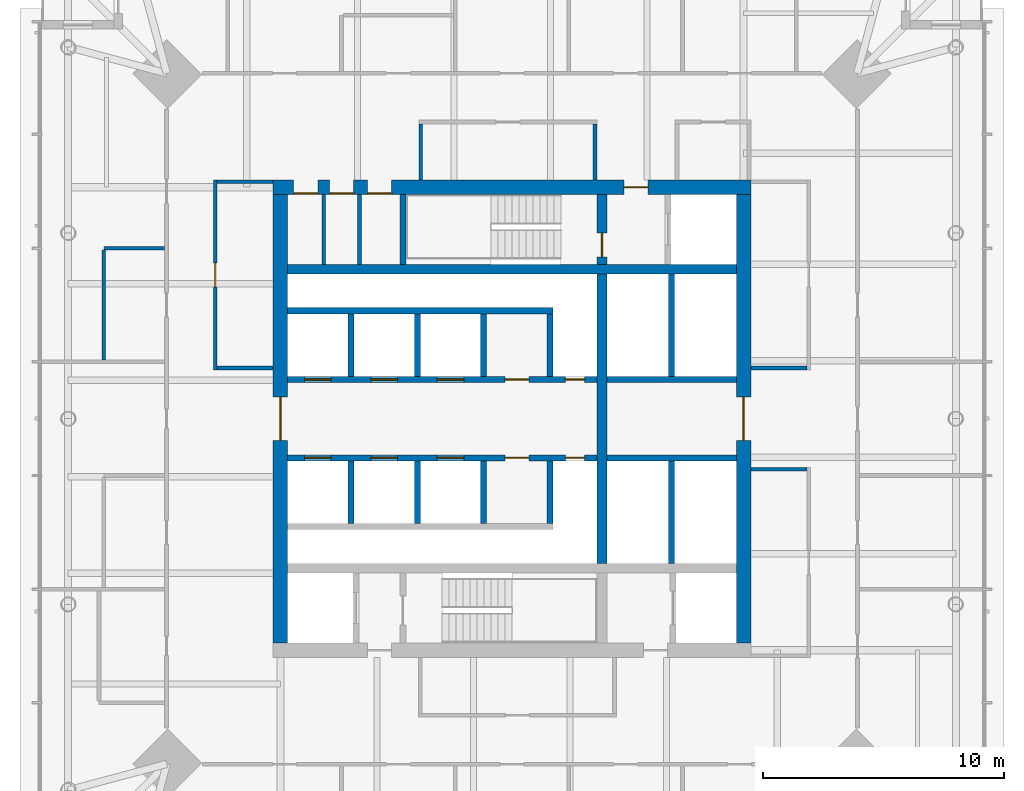
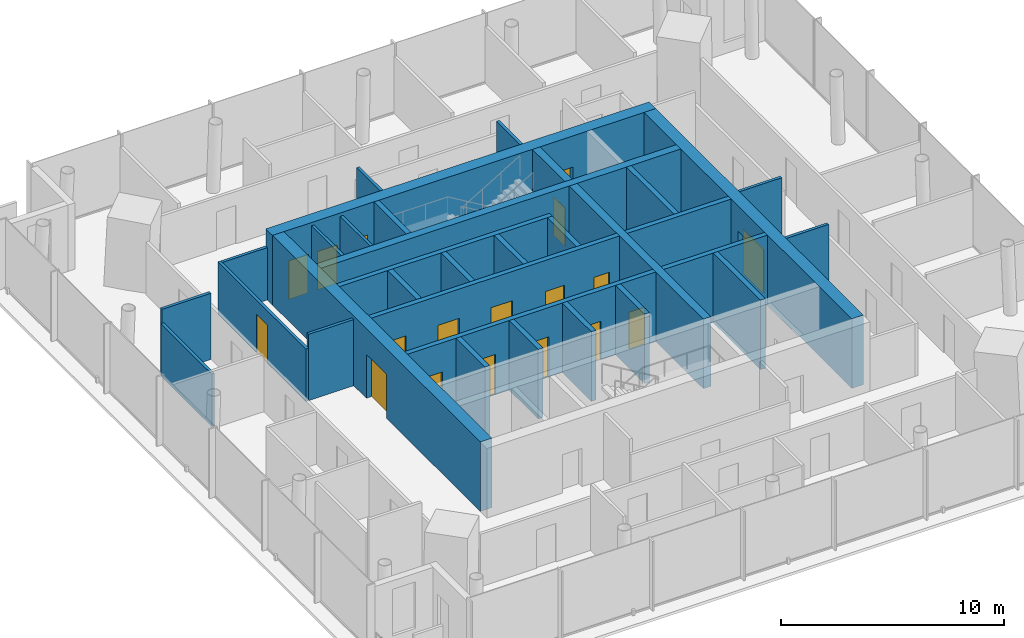
# One storey, part 5 of 11: 33 walls, 18 doors, 18 openings.
"""IFC4 building model written with IfcOpenShell, lengths in metres."""

from ifc_helpers import new_model, si_unit, direction, frame, frame_2d, origin, place, context, subcontext, project, spatial, rectangle, extrude, material, layer, layer_set, type_object, element, fill, save


model = new_model("IFC4")

# Units and contexts
model_context = context("Model", 3, precision=1e-05, world=origin(), true_north=direction((0.0, 1.0)))
body_context = subcontext(model_context, "Body", "Model", "MODEL_VIEW")
ifc_project = project(units=[si_unit("LENGTHUNIT", "METRE"), si_unit("AREAUNIT", "SQUARE_METRE"), si_unit("VOLUMEUNIT", "CUBIC_METRE"), si_unit("PLANEANGLEUNIT", "RADIAN"), si_unit("MASSUNIT", "GRAM", prefix="KILO")], contexts=[model_context])

# Site, building, storey
site_placement = place(None, origin())
site = spatial("IfcSite", under=ifc_project, at=site_placement, CompositionType="ELEMENT")
building_placement = place(site_placement, origin())
building = spatial("IfcBuilding", under=site, at=building_placement, Name="Ostroluk Exchange", CompositionType="ELEMENT")
storey_placement = place(building_placement, frame((0.0, 0.0, 195.800048828125)))
storey = spatial("IfcBuildingStorey", under=building, at=storey_placement, Name="L50", CompositionType="ELEMENT", Elevation=195.800048828125)

# Walls
ifc_material_1 = material(Name="Concrete blockwork", Category="masonry")
ifc_layer_1 = layer(ifc_material_1, 0.14990234375)
ifc_layer_set_1 = layer_set([ifc_layer_1], Name="Blockwork plant room wall 150")
wall_type_1 = type_object("IfcWallType", Name="Blockwork plant room wall 150", PredefinedType="SOLIDWALL", material=ifc_layer_set_1)
for number, where, z_axis, x_axis, name in (
    (1, (37.18798828125, 52.39990234375, 0.0), (0.0, 0.0, 1.0), (0.0, 1.0, 0.0), "Core room wall"),
    (2, (38.676025390625, 52.39990234375, 0.0), (0.0, 0.0, 1.0), (0.0, 1.0, 0.0), "Core room wall"),
):
    element("IfcWall", number, at=place(storey_placement, frame(where, z_axis=z_axis, x_axis=x_axis)), inside=storey, type_object=wall_type_1, Name=name, PredefinedType="SOLIDWALL", context=body_context, shape_type="SweptSolid", body=[
        extrude(rectangle(XDim=2.900146484375, YDim=0.14990234375, at=frame_2d((1.4501953125, 0.0))), origin(), (0.0, 0.0, 1.0), 3.619873046875),
    ])
ifc_material_2 = material(Name="Concrete C50/60", Category="concrete")
ifc_layer_2 = layer(ifc_material_2, 0.39990234375)
ifc_layer_set_2 = layer_set([ifc_layer_2], Name="Core cross wall 400 C50/60")
wall_type_2 = type_object("IfcWallType", Name="Core cross wall 400 C50/60", PredefinedType="SHEAR", material=ifc_layer_set_2)
wall_1_placement = place(storey_placement, frame((35.699951171875, 52.199951171875, 0.0), z_axis=(0.0, 0.0, 1.0), x_axis=(1.0, 0.0, 0.0)))
element("IfcWall", 3, at=wall_1_placement, inside=storey, type_object=wall_type_2, Name="T1 core wall XN", PredefinedType="SHEAR", context=body_context, shape_type="SweptSolid", body=[
    extrude(rectangle(XDim=18.60009765625, YDim=0.39990234375, at=frame_2d((9.300048828125, 0.0))), origin(), (0.0, 0.0, 1.0), 3.800048828125),
])
wall_2_placement = place(storey_placement, frame((48.72998046875, 40.0, 0.0), z_axis=(0.0, 0.0, 1.0), x_axis=(0.0, 1.0, 0.0)))
element("IfcWall", 4, at=wall_2_placement, inside=storey, type_object=wall_type_2, Name="T1 core wall YE2", PredefinedType="SHEAR", context=body_context, shape_type="SweptSolid", body=[
    extrude(rectangle(XDim=12.0, YDim=0.39990234375, at=frame_2d((6.0, 0.0))), origin(), (0.0, 0.0, 1.0), 3.800048828125),
])

# Wall, opening, door
wall_3_placement = place(storey_placement, frame((48.72998046875, 52.39990234375, 0.0), z_axis=(0.0, 0.0, 1.0), x_axis=(0.0, 1.0, 0.0)))
wall_3 = element("IfcWall", 5, at=wall_3_placement, inside=storey, type_object=wall_type_2, Name="T1 core wall YE3", PredefinedType="SHEAR", context=body_context, shape_type="SweptSolid", body=[
    extrude(rectangle(XDim=2.900146484375, YDim=0.39990234375, at=frame_2d((1.4501953125, 0.0))), origin(), (0.0, 0.0, 1.0), 3.800048828125),
])
opening_1_placement = place(wall_3_placement, frame((0.300048828125, 0.0, 0.0)))
opening_1 = element("IfcOpeningElement", 6, at=opening_1_placement, cuts=wall_3, Name="Opening FD60", PredefinedType="OPENING", context=body_context, shape_type="SweptSolid", body=[
    extrude(rectangle(XDim=1.0, YDim=2.10009765625, at=frame_2d((0.5, 1.050048828125))), frame((0.0, 0.2099609375, 0.0), z_axis=(0.0, -1.0, 0.0), x_axis=(1.0, 0.0, 0.0)), (0.0, 0.0, 1.0), 0.419921875),
])
ifc_material_3 = material(Name="Steel", Category="steel")
door_type_1 = type_object("IfcDoorType", Name="Fire door EI 60 1000 x 2100", OperationType="SINGLE_SWING_LEFT", PredefinedType="DOOR", material=ifc_material_3)
door_1_placement = place(opening_1_placement, origin())
door_1 = element("IfcDoor", 7, at=door_1_placement, inside=storey, type_object=door_type_1, Name="Stair T1-S2 door", OperationType="SINGLE_SWING_LEFT", OverallHeight=2.10009765625, OverallWidth=1.0, PredefinedType="DOOR", context=body_context, shape_type="SweptSolid", body=[
    extrude(rectangle(XDim=1.0, YDim=2.10009765625, at=frame_2d((0.5, 1.050048828125))), frame((0.0, 0.02490234375, 0.0), z_axis=(0.0, -1.0, 0.0), x_axis=(1.0, 0.0, 0.0)), (0.0, 0.0, 1.0), 0.050048828125),
])
fill(opening_1, door_1)

# Walls
ifc_material_4 = material(Name="Concrete C40/50", Category="concrete")
ifc_layer_3 = layer(ifc_material_4, 0.25)
ifc_layer_set_3 = layer_set([ifc_layer_3], Name="Core shaft wall 250")
wall_type_3 = type_object("IfcWallType", Name="Core shaft wall 250", PredefinedType="SHEAR", material=ifc_layer_set_3)
wall_4_placement = place(storey_placement, frame((40.47509765625, 52.39990234375, 0.0), z_axis=(0.0, 0.0, 1.0), x_axis=(0.0, 1.0, 0.0)))
element("IfcWall", 8, at=wall_4_placement, inside=storey, type_object=wall_type_3, Name="Stair shaft wall", PredefinedType="SHEAR", context=body_context, shape_type="SweptSolid", body=[
    extrude(rectangle(XDim=2.900146484375, YDim=0.25, at=frame_2d((1.4501953125, 0.0))), origin(), (0.0, 0.0, 1.0), 3.800048828125),
])
for number, where, z_axis, x_axis, name in (
    (9, (38.324951171875, 47.75, 0.0), (0.0, 0.0, 1.0), (0.0, 1.0, 0.0), "Lift shaft wall"),
    (10, (41.074951171875, 47.75, 0.0), (0.0, 0.0, 1.0), (0.0, 1.0, 0.0), "Lift shaft wall"),
    (11, (43.824951171875, 47.75, 0.0), (0.0, 0.0, 1.0), (0.0, 1.0, 0.0), "Lift shaft wall"),
    (12, (46.574951171875, 47.75, 0.0), (0.0, 0.0, 1.0), (0.0, 1.0, 0.0), "Lift shaft wall"),
):
    element("IfcWall", number, at=place(storey_placement, frame(where, z_axis=z_axis, x_axis=x_axis)), inside=storey, type_object=wall_type_3, Name=name, PredefinedType="SHEAR", context=body_context, shape_type="SweptSolid", body=[
        extrude(rectangle(XDim=2.60009765625, YDim=0.25, at=frame_2d((1.300048828125, 0.0))), origin(), (0.0, 0.0, 1.0), 3.800048828125),
    ])
wall_5_placement = place(storey_placement, frame((35.699951171875, 50.47509765625, 0.0), z_axis=(0.0, 0.0, 1.0), x_axis=(1.0, 0.0, 0.0)))
element("IfcWall", 13, at=wall_5_placement, inside=storey, type_object=wall_type_3, Name="Lift shaft wall", PredefinedType="SHEAR", context=body_context, shape_type="SweptSolid", body=[
    extrude(rectangle(XDim=11.0, YDim=0.25, at=frame_2d((5.5, 0.0))), origin(), (0.0, 0.0, 1.0), 3.800048828125),
])

# Wall, openings, doors
wall_6_placement = place(storey_placement, frame((35.699951171875, 47.625, 0.0), z_axis=(0.0, 0.0, 1.0), x_axis=(1.0, 0.0, 0.0)))
wall_6 = element("IfcWall", 14, at=wall_6_placement, inside=storey, type_object=wall_type_3, Name="Lift shaft front wall", PredefinedType="SHEAR", context=body_context, shape_type="SweptSolid", body=[
    extrude(rectangle(XDim=12.830078125, YDim=0.25, at=frame_2d((6.4150390625, 0.0))), origin(), (0.0, 0.0, 1.0), 3.800048828125),
])
opening_2_placement = place(wall_6_placement, frame((0.699951171875, 0.0, 0.0)))
opening_2 = element("IfcOpeningElement", 15, at=opening_2_placement, cuts=wall_6, Name="Opening LD", PredefinedType="OPENING", context=body_context, shape_type="SweptSolid", body=[
    extrude(rectangle(XDim=1.10009765625, YDim=2.199951171875, at=frame_2d((0.550048828125, 1.10009765625))), frame((0.0, 0.135009765625, 0.0), z_axis=(0.0, -1.0, 0.0), x_axis=(1.0, 0.0, 0.0)), (0.0, 0.0, 1.0), 0.27001953125),
])
opening_3_placement = place(wall_6_placement, frame((3.449951171875, 0.0, 0.0)))
opening_3 = element("IfcOpeningElement", 16, at=opening_3_placement, cuts=wall_6, Name="Opening LD", PredefinedType="OPENING", context=body_context, shape_type="SweptSolid", body=[
    extrude(rectangle(XDim=1.10009765625, YDim=2.199951171875, at=frame_2d((0.550048828125, 1.10009765625))), frame((0.0, 0.135009765625, 0.0), z_axis=(0.0, -1.0, 0.0), x_axis=(1.0, 0.0, 0.0)), (0.0, 0.0, 1.0), 0.27001953125),
])
opening_4_placement = place(wall_6_placement, frame((6.199951171875, 0.0, 0.0)))
opening_4 = element("IfcOpeningElement", 17, at=opening_4_placement, cuts=wall_6, Name="Opening LD", PredefinedType="OPENING", context=body_context, shape_type="SweptSolid", body=[
    extrude(rectangle(XDim=1.10009765625, YDim=2.199951171875, at=frame_2d((0.550048828125, 1.10009765625))), frame((0.0, 0.135009765625, 0.0), z_axis=(0.0, -1.0, 0.0), x_axis=(1.0, 0.0, 0.0)), (0.0, 0.0, 1.0), 0.27001953125),
])
opening_5_placement = place(wall_6_placement, frame((9.0, 0.0, 0.0)))
opening_5 = element("IfcOpeningElement", 18, at=opening_5_placement, cuts=wall_6, Name="Opening FD60", PredefinedType="OPENING", context=body_context, shape_type="SweptSolid", body=[
    extrude(rectangle(XDim=1.0, YDim=2.10009765625, at=frame_2d((0.5, 1.050048828125))), frame((0.0, 0.135009765625, 0.0), z_axis=(0.0, -1.0, 0.0), x_axis=(1.0, 0.0, 0.0)), (0.0, 0.0, 1.0), 0.27001953125),
])
opening_6_placement = place(wall_6_placement, frame((11.514892578125, 0.0, 0.0)))
opening_6 = element("IfcOpeningElement", 19, at=opening_6_placement, cuts=wall_6, Name="Opening RD60", PredefinedType="OPENING", context=body_context, shape_type="SweptSolid", body=[
    extrude(rectangle(XDim=0.800048828125, YDim=2.0, at=frame_2d((0.39990234375, 1.0))), frame((0.0, 0.135009765625, 0.0), z_axis=(0.0, -1.0, 0.0), x_axis=(1.0, 0.0, 0.0)), (0.0, 0.0, 1.0), 0.27001953125),
])
door_2_placement = place(opening_5_placement, origin())
door_2 = element("IfcDoor", 20, at=door_2_placement, inside=storey, type_object=door_type_1, Name="Core room door", OperationType="SINGLE_SWING_RIGHT", OverallHeight=2.10009765625, OverallWidth=1.0, PredefinedType="DOOR", context=body_context, shape_type="SweptSolid", body=[
    extrude(rectangle(XDim=1.0, YDim=2.10009765625, at=frame_2d((0.5, 1.050048828125))), frame((0.0, 0.02490234375, 0.0), z_axis=(0.0, -1.0, 0.0), x_axis=(1.0, 0.0, 0.0)), (0.0, 0.0, 1.0), 0.050048828125),
])
fill(opening_5, door_2)
ifc_material_5 = material(Name="Stainless steel", Category="steel")
door_type_2 = type_object("IfcDoorType", Name="Lift landing door E 60 1100 x 2200", OperationType="DOUBLE_DOOR_SLIDING", PredefinedType="DOOR", material=ifc_material_5)
door_3_placement = place(opening_2_placement, origin())
door_3 = element("IfcDoor", 21, at=door_3_placement, inside=storey, type_object=door_type_2, Name="Lift PL-H1 landing door", OperationType="DOUBLE_DOOR_SLIDING", OverallHeight=2.199951171875, OverallWidth=1.10009765625, PredefinedType="DOOR", context=body_context, shape_type="SweptSolid", body=[
    extrude(rectangle(XDim=1.10009765625, YDim=2.199951171875, at=frame_2d((0.550048828125, 1.10009765625))), frame((0.0, 0.02490234375, 0.0), z_axis=(0.0, -1.0, 0.0), x_axis=(1.0, 0.0, 0.0)), (0.0, 0.0, 1.0), 0.050048828125),
])
fill(opening_2, door_3)
door_4_placement = place(opening_3_placement, origin())
door_4 = element("IfcDoor", 22, at=door_4_placement, inside=storey, type_object=door_type_2, Name="Lift PL-H2 landing door", OperationType="DOUBLE_DOOR_SLIDING", OverallHeight=2.199951171875, OverallWidth=1.10009765625, PredefinedType="DOOR", context=body_context, shape_type="SweptSolid", body=[
    extrude(rectangle(XDim=1.10009765625, YDim=2.199951171875, at=frame_2d((0.550048828125, 1.10009765625))), frame((0.0, 0.02490234375, 0.0), z_axis=(0.0, -1.0, 0.0), x_axis=(1.0, 0.0, 0.0)), (0.0, 0.0, 1.0), 0.050048828125),
])
fill(opening_3, door_4)
door_5_placement = place(opening_4_placement, origin())
door_5 = element("IfcDoor", 23, at=door_5_placement, inside=storey, type_object=door_type_2, Name="Lift PL-H3 landing door", OperationType="DOUBLE_DOOR_SLIDING", OverallHeight=2.199951171875, OverallWidth=1.10009765625, PredefinedType="DOOR", context=body_context, shape_type="SweptSolid", body=[
    extrude(rectangle(XDim=1.10009765625, YDim=2.199951171875, at=frame_2d((0.550048828125, 1.10009765625))), frame((0.0, 0.02490234375, 0.0), z_axis=(0.0, -1.0, 0.0), x_axis=(1.0, 0.0, 0.0)), (0.0, 0.0, 1.0), 0.050048828125),
])
fill(opening_4, door_5)
ifc_material_6 = material(Name="Steel", Category="steel")
door_type_3 = type_object("IfcDoorType", Name="Riser access door EI 60 800 x 2000", OperationType="SINGLE_SWING_LEFT", PredefinedType="DOOR", material=ifc_material_6)
door_6_placement = place(opening_6_placement, origin())
door_6 = element("IfcDoor", 24, at=door_6_placement, inside=storey, type_object=door_type_3, Name="Riser access door", OperationType="SINGLE_SWING_RIGHT", OverallHeight=2.0, OverallWidth=0.800048828125, PredefinedType="DOOR", context=body_context, shape_type="SweptSolid", body=[
    extrude(rectangle(XDim=0.800048828125, YDim=2.0, at=frame_2d((0.39990234375, 1.0))), frame((0.0, 0.02490234375, 0.0), z_axis=(0.0, -1.0, 0.0), x_axis=(1.0, 0.0, 0.0)), (0.0, 0.0, 1.0), 0.050048828125),
])
fill(opening_6, door_6)

# Walls
for number, where, z_axis, x_axis, name in (
    (25, (38.324951171875, 44.25, 0.0), (0.0, 0.0, 1.0), (0.0, -1.0, 0.0), "Lift shaft wall"),
    (26, (41.074951171875, 44.25, 0.0), (0.0, 0.0, 1.0), (0.0, -1.0, 0.0), "Lift shaft wall"),
    (27, (43.824951171875, 44.25, 0.0), (0.0, 0.0, 1.0), (0.0, -1.0, 0.0), "Lift shaft wall"),
    (28, (46.574951171875, 44.25, 0.0), (0.0, 0.0, 1.0), (0.0, -1.0, 0.0), "Lift shaft wall"),
):
    element("IfcWall", number, at=place(storey_placement, frame(where, z_axis=z_axis, x_axis=x_axis)), inside=storey, type_object=wall_type_3, Name=name, PredefinedType="SHEAR", context=body_context, shape_type="SweptSolid", body=[
        extrude(rectangle(XDim=2.60009765625, YDim=0.25, at=frame_2d((1.300048828125, 0.0))), origin(), (0.0, 0.0, 1.0), 3.800048828125),
    ])

# Wall, openings, doors
wall_7_placement = place(storey_placement, frame((35.699951171875, 44.375, 0.0), z_axis=(0.0, 0.0, 1.0), x_axis=(1.0, 0.0, 0.0)))
wall_7 = element("IfcWall", 29, at=wall_7_placement, inside=storey, type_object=wall_type_3, Name="Lift shaft front wall", PredefinedType="SHEAR", context=body_context, shape_type="SweptSolid", body=[
    extrude(rectangle(XDim=12.830078125, YDim=0.25, at=frame_2d((6.4150390625, 0.0))), origin(), (0.0, 0.0, 1.0), 3.800048828125),
])
opening_7_placement = place(wall_7_placement, frame((0.699951171875, 0.0, 0.0)))
opening_7 = element("IfcOpeningElement", 30, at=opening_7_placement, cuts=wall_7, Name="Opening LD", PredefinedType="OPENING", context=body_context, shape_type="SweptSolid", body=[
    extrude(rectangle(XDim=1.10009765625, YDim=2.199951171875, at=frame_2d((0.550048828125, 1.10009765625))), frame((0.0, 0.135009765625, 0.0), z_axis=(0.0, -1.0, 0.0), x_axis=(1.0, 0.0, 0.0)), (0.0, 0.0, 1.0), 0.27001953125),
])
opening_8_placement = place(wall_7_placement, frame((3.449951171875, 0.0, 0.0)))
opening_8 = element("IfcOpeningElement", 31, at=opening_8_placement, cuts=wall_7, Name="Opening LD", PredefinedType="OPENING", context=body_context, shape_type="SweptSolid", body=[
    extrude(rectangle(XDim=1.10009765625, YDim=2.199951171875, at=frame_2d((0.550048828125, 1.10009765625))), frame((0.0, 0.135009765625, 0.0), z_axis=(0.0, -1.0, 0.0), x_axis=(1.0, 0.0, 0.0)), (0.0, 0.0, 1.0), 0.27001953125),
])
opening_9_placement = place(wall_7_placement, frame((6.199951171875, 0.0, 0.0)))
opening_9 = element("IfcOpeningElement", 32, at=opening_9_placement, cuts=wall_7, Name="Opening LD", PredefinedType="OPENING", context=body_context, shape_type="SweptSolid", body=[
    extrude(rectangle(XDim=1.10009765625, YDim=2.199951171875, at=frame_2d((0.550048828125, 1.10009765625))), frame((0.0, 0.135009765625, 0.0), z_axis=(0.0, -1.0, 0.0), x_axis=(1.0, 0.0, 0.0)), (0.0, 0.0, 1.0), 0.27001953125),
])
opening_10_placement = place(wall_7_placement, frame((9.0, 0.0, 0.0)))
opening_10 = element("IfcOpeningElement", 33, at=opening_10_placement, cuts=wall_7, Name="Opening FD60", PredefinedType="OPENING", context=body_context, shape_type="SweptSolid", body=[
    extrude(rectangle(XDim=1.0, YDim=2.10009765625, at=frame_2d((0.5, 1.050048828125))), frame((0.0, 0.135009765625, 0.0), z_axis=(0.0, -1.0, 0.0), x_axis=(1.0, 0.0, 0.0)), (0.0, 0.0, 1.0), 0.27001953125),
])
opening_11_placement = place(wall_7_placement, frame((11.514892578125, 0.0, 0.0)))
opening_11 = element("IfcOpeningElement", 34, at=opening_11_placement, cuts=wall_7, Name="Opening RD60", PredefinedType="OPENING", context=body_context, shape_type="SweptSolid", body=[
    extrude(rectangle(XDim=0.800048828125, YDim=2.0, at=frame_2d((0.39990234375, 1.0))), frame((0.0, 0.135009765625, 0.0), z_axis=(0.0, -1.0, 0.0), x_axis=(1.0, 0.0, 0.0)), (0.0, 0.0, 1.0), 0.27001953125),
])
door_7_placement = place(opening_10_placement, origin())
door_7 = element("IfcDoor", 35, at=door_7_placement, inside=storey, type_object=door_type_1, Name="Core room door", OperationType="SINGLE_SWING_RIGHT", OverallHeight=2.10009765625, OverallWidth=1.0, PredefinedType="DOOR", context=body_context, shape_type="SweptSolid", body=[
    extrude(rectangle(XDim=1.0, YDim=2.10009765625, at=frame_2d((0.5, 1.050048828125))), frame((0.0, 0.02490234375, 0.0), z_axis=(0.0, -1.0, 0.0), x_axis=(1.0, 0.0, 0.0)), (0.0, 0.0, 1.0), 0.050048828125),
])
fill(opening_10, door_7)
door_8_placement = place(opening_7_placement, origin())
door_8 = element("IfcDoor", 36, at=door_8_placement, inside=storey, type_object=door_type_2, Name="Lift PL-H4 landing door", OperationType="DOUBLE_DOOR_SLIDING", OverallHeight=2.199951171875, OverallWidth=1.10009765625, PredefinedType="DOOR", context=body_context, shape_type="SweptSolid", body=[
    extrude(rectangle(XDim=1.10009765625, YDim=2.199951171875, at=frame_2d((0.550048828125, 1.10009765625))), frame((0.0, 0.02490234375, 0.0), z_axis=(0.0, -1.0, 0.0), x_axis=(1.0, 0.0, 0.0)), (0.0, 0.0, 1.0), 0.050048828125),
])
fill(opening_7, door_8)
door_9_placement = place(opening_8_placement, origin())
door_9 = element("IfcDoor", 37, at=door_9_placement, inside=storey, type_object=door_type_2, Name="Lift PL-H5 landing door", OperationType="DOUBLE_DOOR_SLIDING", OverallHeight=2.199951171875, OverallWidth=1.10009765625, PredefinedType="DOOR", context=body_context, shape_type="SweptSolid", body=[
    extrude(rectangle(XDim=1.10009765625, YDim=2.199951171875, at=frame_2d((0.550048828125, 1.10009765625))), frame((0.0, 0.02490234375, 0.0), z_axis=(0.0, -1.0, 0.0), x_axis=(1.0, 0.0, 0.0)), (0.0, 0.0, 1.0), 0.050048828125),
])
fill(opening_8, door_9)
door_10_placement = place(opening_9_placement, origin())
door_10 = element("IfcDoor", 38, at=door_10_placement, inside=storey, type_object=door_type_2, Name="Lift PL-H6 landing door", OperationType="DOUBLE_DOOR_SLIDING", OverallHeight=2.199951171875, OverallWidth=1.10009765625, PredefinedType="DOOR", context=body_context, shape_type="SweptSolid", body=[
    extrude(rectangle(XDim=1.10009765625, YDim=2.199951171875, at=frame_2d((0.550048828125, 1.10009765625))), frame((0.0, 0.02490234375, 0.0), z_axis=(0.0, -1.0, 0.0), x_axis=(1.0, 0.0, 0.0)), (0.0, 0.0, 1.0), 0.050048828125),
])
fill(opening_9, door_10)
door_11_placement = place(opening_11_placement, origin())
door_11 = element("IfcDoor", 39, at=door_11_placement, inside=storey, type_object=door_type_3, Name="Riser access door", OperationType="SINGLE_SWING_RIGHT", OverallHeight=2.0, OverallWidth=0.800048828125, PredefinedType="DOOR", context=body_context, shape_type="SweptSolid", body=[
    extrude(rectangle(XDim=0.800048828125, YDim=2.0, at=frame_2d((0.39990234375, 1.0))), frame((0.0, 0.02490234375, 0.0), z_axis=(0.0, -1.0, 0.0), x_axis=(1.0, 0.0, 0.0)), (0.0, 0.0, 1.0), 0.050048828125),
])
fill(opening_11, door_11)

# Walls
wall_8_placement = place(storey_placement, frame((51.614990234375, 47.75, 0.0), z_axis=(0.0, 0.0, 1.0), x_axis=(0.0, 1.0, 0.0)))
element("IfcWall", 40, at=wall_8_placement, inside=storey, type_object=wall_type_3, Name="Lift shaft wall", PredefinedType="SHEAR", context=body_context, shape_type="SweptSolid", body=[
    extrude(rectangle(XDim=4.25, YDim=0.25, at=frame_2d((2.125, 0.0))), origin(), (0.0, 0.0, 1.0), 3.800048828125),
])
wall_9_placement = place(storey_placement, frame((48.929931640625, 47.625, 0.0), z_axis=(0.0, 0.0, 1.0), x_axis=(1.0, 0.0, 0.0)))
element("IfcWall", 41, at=wall_9_placement, inside=storey, type_object=wall_type_3, Name="Lift shaft front wall", PredefinedType="SHEAR", context=body_context, shape_type="SweptSolid", body=[
    extrude(rectangle(XDim=5.3701171875, YDim=0.25, at=frame_2d((2.68505859375, 0.0))), origin(), (0.0, 0.0, 1.0), 3.800048828125),
])
wall_10_placement = place(storey_placement, frame((51.614990234375, 44.25, 0.0), z_axis=(0.0, 0.0, 1.0), x_axis=(0.0, -1.0, 0.0)))
element("IfcWall", 42, at=wall_10_placement, inside=storey, type_object=wall_type_3, Name="Lift shaft wall", PredefinedType="SHEAR", context=body_context, shape_type="SweptSolid", body=[
    extrude(rectangle(XDim=4.25, YDim=0.25, at=frame_2d((2.125, 0.0))), origin(), (0.0, 0.0, 1.0), 3.800048828125),
])
wall_11_placement = place(storey_placement, frame((48.929931640625, 44.375, 0.0), z_axis=(0.0, 0.0, 1.0), x_axis=(1.0, 0.0, 0.0)))
element("IfcWall", 43, at=wall_11_placement, inside=storey, type_object=wall_type_3, Name="Lift shaft front wall", PredefinedType="SHEAR", context=body_context, shape_type="SweptSolid", body=[
    extrude(rectangle(XDim=5.3701171875, YDim=0.25, at=frame_2d((2.68505859375, 0.0))), origin(), (0.0, 0.0, 1.0), 3.800048828125),
])

# Wall, openings, doors
ifc_material_7 = material(Name="Concrete C50/60", Category="concrete")
ifc_layer_4 = layer(ifc_material_7, 0.60009765625)
ifc_layer_set_4 = layer_set([ifc_layer_4], Name="Core wall 600 C50/60")
wall_type_4 = type_object("IfcWallType", Name="Core wall 600 C50/60", PredefinedType="SHEAR", material=ifc_layer_set_4)
wall_12_placement = place(storey_placement, frame((35.10009765625, 55.60009765625, 0.0), z_axis=(0.0, 0.0, 1.0), x_axis=(1.0, 0.0, 0.0)))
wall_12 = element("IfcWall", 44, at=wall_12_placement, inside=storey, type_object=wall_type_4, Name="T1 core wall N", PredefinedType="SHEAR", context=body_context, shape_type="SweptSolid", body=[
    extrude(rectangle(XDim=19.7998046875, YDim=0.60009765625, at=frame_2d((9.89990234375, 0.0))), origin(), (0.0, 0.0, 1.0), 3.800048828125),
])
opening_12_placement = place(wall_12_placement, frame((14.5400390625, 0.0, 0.0)))
opening_12 = element("IfcOpeningElement", 45, at=opening_12_placement, cuts=wall_12, Name="Opening FD60", PredefinedType="OPENING", context=body_context, shape_type="SweptSolid", body=[
    extrude(rectangle(XDim=1.0, YDim=2.10009765625, at=frame_2d((0.5, 1.050048828125))), frame((0.0, 0.31005859375, 0.0), z_axis=(0.0, -1.0, 0.0), x_axis=(1.0, 0.0, 0.0)), (0.0, 0.0, 1.0), 0.6201171875),
])
opening_13_placement = place(wall_12_placement, frame((0.85009765625, 0.0, 0.0)))
opening_13 = element("IfcOpeningElement", 46, at=opening_13_placement, cuts=wall_12, Name="Opening FD60", PredefinedType="OPENING", context=body_context, shape_type="SweptSolid", body=[
    extrude(rectangle(XDim=1.0, YDim=2.10009765625, at=frame_2d((0.5, 1.050048828125))), frame((0.0, 0.31005859375, 0.0), z_axis=(0.0, -1.0, 0.0), x_axis=(1.0, 0.0, 0.0)), (0.0, 0.0, 1.0), 0.6201171875),
])
opening_14_placement = place(wall_12_placement, frame((2.337890625, 0.0, 0.0)))
opening_14 = element("IfcOpeningElement", 47, at=opening_14_placement, cuts=wall_12, Name="Opening FD60", PredefinedType="OPENING", context=body_context, shape_type="SweptSolid", body=[
    extrude(rectangle(XDim=1.0, YDim=2.10009765625, at=frame_2d((0.5, 1.050048828125))), frame((0.0, 0.31005859375, 0.0), z_axis=(0.0, -1.0, 0.0), x_axis=(1.0, 0.0, 0.0)), (0.0, 0.0, 1.0), 0.6201171875),
])
opening_15_placement = place(wall_12_placement, frame((3.9130859375, 0.0, 0.0)))
opening_15 = element("IfcOpeningElement", 48, at=opening_15_placement, cuts=wall_12, Name="Opening FD60", PredefinedType="OPENING", context=body_context, shape_type="SweptSolid", body=[
    extrude(rectangle(XDim=1.0, YDim=2.10009765625, at=frame_2d((0.5, 1.050048828125))), frame((0.0, 0.31005859375, 0.0), z_axis=(0.0, -1.0, 0.0), x_axis=(1.0, 0.0, 0.0)), (0.0, 0.0, 1.0), 0.6201171875),
])
door_12_placement = place(opening_12_placement, origin())
door_12 = element("IfcDoor", 49, at=door_12_placement, inside=storey, type_object=door_type_1, Name="Firefighting lobby door", OperationType="SINGLE_SWING_RIGHT", OverallHeight=2.10009765625, OverallWidth=1.0, PredefinedType="DOOR", context=body_context, shape_type="SweptSolid", body=[
    extrude(rectangle(XDim=1.0, YDim=2.10009765625, at=frame_2d((0.5, 1.050048828125))), frame((0.0, 0.02490234375, 0.0), z_axis=(0.0, -1.0, 0.0), x_axis=(1.0, 0.0, 0.0)), (0.0, 0.0, 1.0), 0.050048828125),
])
fill(opening_12, door_12)
door_13_placement = place(opening_13_placement, origin())
door_13 = element("IfcDoor", 50, at=door_13_placement, inside=storey, type_object=door_type_1, Name="Cleaner's store door", OperationType="SINGLE_SWING_LEFT", OverallHeight=2.10009765625, OverallWidth=1.0, PredefinedType="DOOR", context=body_context, shape_type="SweptSolid", body=[
    extrude(rectangle(XDim=1.0, YDim=2.10009765625, at=frame_2d((0.5, 1.050048828125))), frame((0.0, -0.23974609375, 0.0), z_axis=(0.0, -1.0, 0.0), x_axis=(1.0, 0.0, 0.0)), (0.0, 0.0, 1.0), 0.050048828125),
])
fill(opening_13, door_13)
door_14_placement = place(opening_14_placement, origin())
door_14 = element("IfcDoor", 51, at=door_14_placement, inside=storey, type_object=door_type_1, Name="Store door", OperationType="SINGLE_SWING_LEFT", OverallHeight=2.10009765625, OverallWidth=1.0, PredefinedType="DOOR", context=body_context, shape_type="SweptSolid", body=[
    extrude(rectangle(XDim=1.0, YDim=2.10009765625, at=frame_2d((0.5, 1.050048828125))), frame((0.0, -0.23974609375, 0.0), z_axis=(0.0, -1.0, 0.0), x_axis=(1.0, 0.0, 0.0)), (0.0, 0.0, 1.0), 0.050048828125),
])
fill(opening_14, door_14)
door_15_placement = place(opening_15_placement, origin())
door_15 = element("IfcDoor", 52, at=door_15_placement, inside=storey, type_object=door_type_1, Name="Comms room door", OperationType="SINGLE_SWING_LEFT", OverallHeight=2.10009765625, OverallWidth=1.0, PredefinedType="DOOR", context=body_context, shape_type="SweptSolid", body=[
    extrude(rectangle(XDim=1.0, YDim=2.10009765625, at=frame_2d((0.5, 1.050048828125))), frame((0.0, -0.23974609375, 0.0), z_axis=(0.0, -1.0, 0.0), x_axis=(1.0, 0.0, 0.0)), (0.0, 0.0, 1.0), 0.050048828125),
])
fill(opening_15, door_15)

# Wall, opening, door
wall_13_placement = place(storey_placement, frame((35.39990234375, 36.699951171875, 0.0), z_axis=(0.0, 0.0, 1.0), x_axis=(0.0, 1.0, 0.0)))
wall_13 = element("IfcWall", 53, at=wall_13_placement, inside=storey, type_object=wall_type_4, Name="T1 core wall W", PredefinedType="SHEAR", context=body_context, shape_type="SweptSolid", body=[
    extrude(rectangle(XDim=18.60009765625, YDim=0.60009765625, at=frame_2d((9.300048828125, 0.0))), origin(), (0.0, 0.0, 1.0), 3.800048828125),
])
opening_16_placement = place(wall_13_placement, frame((8.39990234375, 0.0, 0.0)))
opening_16 = element("IfcOpeningElement", 54, at=opening_16_placement, cuts=wall_13, Name="Opening FD30D", PredefinedType="OPENING", context=body_context, shape_type="SweptSolid", body=[
    extrude(rectangle(XDim=1.800048828125, YDim=2.39990234375, at=frame_2d((0.89990234375, 1.199951171875))), frame((0.0, 0.31005859375, 0.0), z_axis=(0.0, -1.0, 0.0), x_axis=(1.0, 0.0, 0.0)), (0.0, 0.0, 1.0), 0.6201171875),
])
ifc_material_8 = material(Name="Timber", Category="wood")
door_type_4 = type_object("IfcDoorType", Name="Lobby double door EI 30 1800 x 2400", OperationType="DOUBLE_DOOR_SINGLE_SWING", PredefinedType="DOOR", material=ifc_material_8)
door_16_placement = place(opening_16_placement, origin())
door_16 = element("IfcDoor", 55, at=door_16_placement, inside=storey, type_object=door_type_4, Name="Lift lobby doors", OperationType="DOUBLE_DOOR_SINGLE_SWING", OverallHeight=2.39990234375, OverallWidth=1.800048828125, PredefinedType="DOOR", context=body_context, shape_type="SweptSolid", body=[
    extrude(rectangle(XDim=1.800048828125, YDim=2.39990234375, at=frame_2d((0.89990234375, 1.199951171875))), frame((0.0, 0.02490234375, 0.0), z_axis=(0.0, -1.0, 0.0), x_axis=(1.0, 0.0, 0.0)), (0.0, 0.0, 1.0), 0.050048828125),
])
fill(opening_16, door_16)

wall_14_placement = place(storey_placement, frame((54.60009765625, 36.699951171875, 0.0), z_axis=(0.0, 0.0, 1.0), x_axis=(0.0, 1.0, 0.0)))
wall_14 = element("IfcWall", 56, at=wall_14_placement, inside=storey, type_object=wall_type_4, Name="T1 core wall E", PredefinedType="SHEAR", context=body_context, shape_type="SweptSolid", body=[
    extrude(rectangle(XDim=18.60009765625, YDim=0.60009765625, at=frame_2d((9.300048828125, 0.0))), origin(), (0.0, 0.0, 1.0), 3.800048828125),
])
opening_17_placement = place(wall_14_placement, frame((8.39990234375, 0.0, 0.0)))
opening_17 = element("IfcOpeningElement", 57, at=opening_17_placement, cuts=wall_14, Name="Opening FD30D", PredefinedType="OPENING", context=body_context, shape_type="SweptSolid", body=[
    extrude(rectangle(XDim=1.800048828125, YDim=2.39990234375, at=frame_2d((0.89990234375, 1.199951171875))), frame((0.0, 0.31005859375, 0.0), z_axis=(0.0, -1.0, 0.0), x_axis=(1.0, 0.0, 0.0)), (0.0, 0.0, 1.0), 0.6201171875),
])
door_17_placement = place(opening_17_placement, origin())
door_17 = element("IfcDoor", 58, at=door_17_placement, inside=storey, type_object=door_type_4, Name="Lift lobby doors", OperationType="DOUBLE_DOOR_SINGLE_SWING", OverallHeight=2.39990234375, OverallWidth=1.800048828125, PredefinedType="DOOR", context=body_context, shape_type="SweptSolid", body=[
    extrude(rectangle(XDim=1.800048828125, YDim=2.39990234375, at=frame_2d((0.89990234375, 1.199951171875))), frame((0.0, 0.02490234375, 0.0), z_axis=(0.0, -1.0, 0.0), x_axis=(1.0, 0.0, 0.0)), (0.0, 0.0, 1.0), 0.050048828125),
])
fill(opening_17, door_17)

# Walls
ifc_material_9 = material(Name="Gypsum plasterboard partition", Category="gypsum")
ifc_layer_5 = layer(ifc_material_9, 0.14990234375)
ifc_layer_set_5 = layer_set([ifc_layer_5], Name="Plasterboard partition 150")
wall_type_5 = type_object("IfcWallType", Name="Plasterboard partition 150", PredefinedType="PARTITIONING", material=ifc_layer_set_5)
for number, where, z_axis, x_axis, name in (
    (59, (54.89990234375, 43.89990234375, 0.0), (0.0, 0.0, 1.0), (1.0, 0.0, 0.0), "Partition"),
    (60, (54.89990234375, 48.10009765625, 0.0), (0.0, 0.0, 1.0), (1.0, 0.0, 0.0), "Partition"),
    (61, (48.43994140625, 55.89990234375, 0.0), (0.0, 0.0, 1.0), (0.0, 1.0, 0.0), "Partition"),
    (62, (41.212890625, 55.89990234375, 0.0), (0.0, 0.0, 1.0), (0.0, 1.0, 0.0), "Partition"),
):
    element("IfcWall", number, at=place(storey_placement, frame(where, z_axis=z_axis, x_axis=x_axis)), inside=storey, type_object=wall_type_5, Name=name, PredefinedType="PARTITIONING", context=body_context, shape_type="SweptSolid", body=[
        extrude(rectangle(XDim=2.3251953125, YDim=0.14990234375, at=frame_2d((1.16259765625, 0.0))), origin(), (0.0, 0.0, 1.0), 3.619873046875),
    ])

# Wall, opening, door
wall_15_placement = place(storey_placement, frame((32.699951171875, 55.89990234375, 0.0), z_axis=(0.0, 0.0, 1.0), x_axis=(0.0, -1.0, 0.0)))
wall_15 = element("IfcWall", 63, at=wall_15_placement, inside=storey, type_object=wall_type_5, Name="Partition", PredefinedType="PARTITIONING", context=body_context, shape_type="SweptSolid", body=[
    extrude(rectangle(XDim=7.875, YDim=0.14990234375, at=frame_2d((3.9375, 0.0))), origin(), (0.0, 0.0, 1.0), 2.866943359375),
])
opening_18_placement = place(wall_15_placement, frame((3.4375, 0.0, 0.0)))
opening_18 = element("IfcOpeningElement", 64, at=opening_18_placement, cuts=wall_15, Name="Opening D-03", PredefinedType="OPENING", context=body_context, shape_type="SweptSolid", body=[
    extrude(rectangle(XDim=1.0, YDim=2.10009765625, at=frame_2d((0.5, 1.050048828125))), frame((0.0, 0.0849609375, 0.0), z_axis=(0.0, -1.0, 0.0), x_axis=(1.0, 0.0, 0.0)), (0.0, 0.0, 1.0), 0.169921875),
])
ifc_material_10 = material(Name="Timber", Category="wood")
door_type_5 = type_object("IfcDoorType", Name="Internal door 1000 x 2100", OperationType="SINGLE_SWING_LEFT", PredefinedType="DOOR", material=ifc_material_10)
door_18_placement = place(opening_18_placement, origin())
door_18 = element("IfcDoor", 65, at=door_18_placement, inside=storey, type_object=door_type_5, Name="Quiet room door", OperationType="SINGLE_SWING_LEFT", OverallHeight=2.10009765625, OverallWidth=1.0, PredefinedType="DOOR", context=body_context, shape_type="SweptSolid", body=[
    extrude(rectangle(XDim=1.0, YDim=2.10009765625, at=frame_2d((0.5, 1.050048828125))), frame((0.0, 0.02490234375, 0.0), z_axis=(0.0, -1.0, 0.0), x_axis=(1.0, 0.0, 0.0)), (0.0, 0.0, 1.0), 0.050048828125),
])
fill(opening_18, door_18)

# Walls
wall_16_placement = place(storey_placement, frame((35.10009765625, 55.824951171875, 0.0), z_axis=(0.0, 0.0, 1.0), x_axis=(-1.0, 0.0, 0.0)))
element("IfcWall", 66, at=wall_16_placement, inside=storey, type_object=wall_type_5, Name="Partition", PredefinedType="PARTITIONING", context=body_context, shape_type="SweptSolid", body=[
    extrude(rectangle(XDim=2.3251953125, YDim=0.14990234375, at=frame_2d((1.16259765625, 0.0))), origin(), (0.0, 0.0, 1.0), 2.866943359375),
])
wall_17_placement = place(storey_placement, frame((35.10009765625, 48.10009765625, 0.0), z_axis=(0.0, 0.0, 1.0), x_axis=(-1.0, 0.0, 0.0)))
element("IfcWall", 67, at=wall_17_placement, inside=storey, type_object=wall_type_5, Name="Partition", PredefinedType="PARTITIONING", context=body_context, shape_type="SweptSolid", body=[
    extrude(rectangle(XDim=2.3251953125, YDim=0.14990234375, at=frame_2d((1.16259765625, 0.0))), origin(), (0.0, 0.0, 1.0), 3.619873046875),
])
wall_18_placement = place(storey_placement, frame((28.074951171875, 52.996337890625, 0.0), z_axis=(0.0, 0.0, 1.0), x_axis=(0.0, -1.0, 0.0)))
element("IfcWall", 68, at=wall_18_placement, inside=storey, type_object=wall_type_5, Name="Partition", PredefinedType="PARTITIONING", context=body_context, shape_type="SweptSolid", body=[
    extrude(rectangle(XDim=4.564208984375, YDim=0.14990234375, at=frame_2d((2.2822265625, 0.0))), origin(), (0.0, 0.0, 1.0), 2.866943359375),
])
wall_19_placement = place(storey_placement, frame((30.60009765625, 53.071533203125, 0.0), z_axis=(0.0, 0.0, 1.0), x_axis=(-1.0, 0.0, 0.0)))
element("IfcWall", 69, at=wall_19_placement, inside=storey, type_object=wall_type_5, Name="Partition", PredefinedType="PARTITIONING", context=body_context, shape_type="SweptSolid", body=[
    extrude(rectangle(XDim=2.525146484375, YDim=0.14990234375, at=frame_2d((1.2626953125, 0.0))), origin(), (0.0, 0.0, 1.0), 3.619873046875),
])

save(model, "model.ifc")
